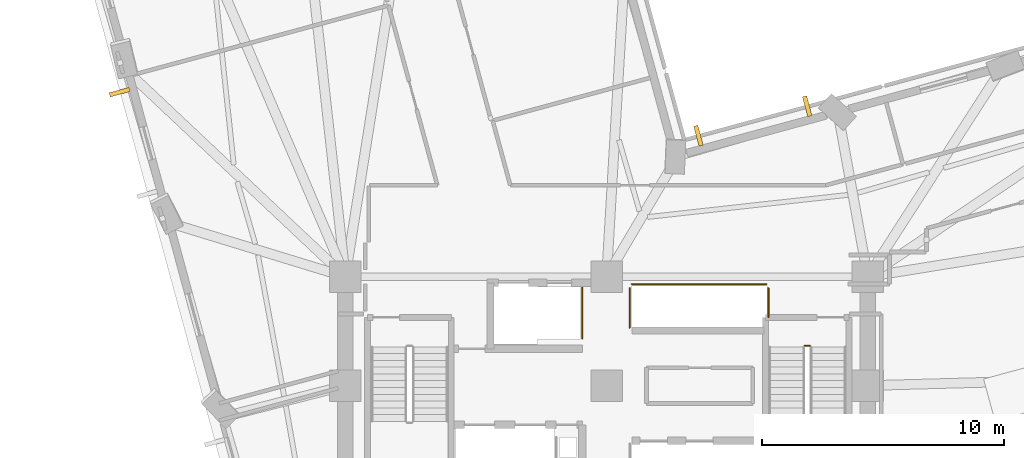
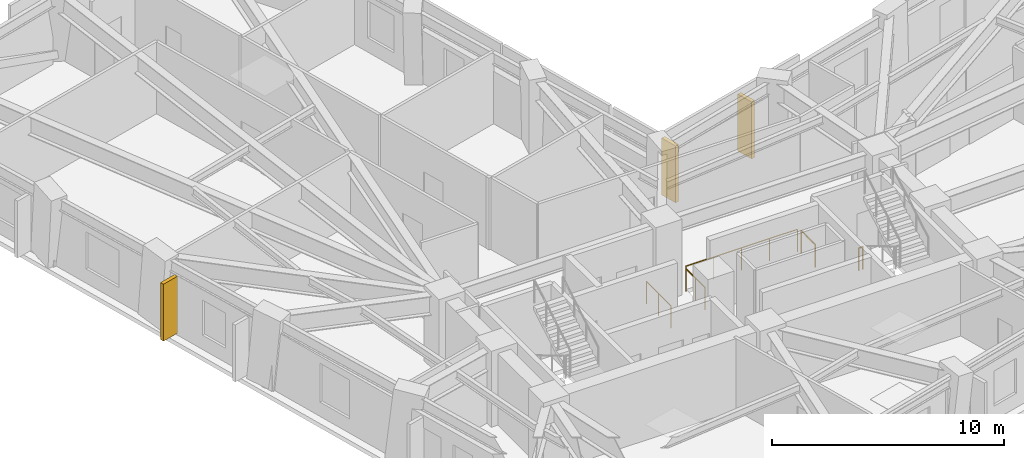
# One storey, part 13 of 15: 5 railings, 3 shading devices.
"""IFC4 building model written with IfcOpenShell, lengths in metres."""

import ifcopenshell
import ifcopenshell.guid

model = None  # the IFC model being written
_history = None  # IfcOwnerHistory: only IFC2X3 demands one
_inside = {}  # id of a spatial element -> (the spatial element, [elements in it])
_under = {}  # id of a project, library or spatial element -> (it, [spatial elements below it])
_declared = {}  # id of a project -> (the project, [libraries it declares])
_typed = {}  # id of a type object -> (the type object, [elements of that type])
_made_of = {}  # id of a material, layer set ... -> (it, [elements and type objects made of it])


def new_model(schema):
    """Start an empty IFC model of exactly this schema.

    Asked for "IFC4X3", IfcOpenShell would pick the latest addendum, in which some entities
    have other attributes; the version numbers below select the first issue.
    IFC2X3 requires an IfcOwnerHistory on every rooted entity: one is made here for all.
    """
    global model, _history
    if schema == "IFC4X3":
        model = ifcopenshell.file(schema_version=(4, 3, 0, 0))
    else:
        model = ifcopenshell.file(schema=schema)
    _inside.clear()
    _under.clear()
    _declared.clear()
    _typed.clear()
    _made_of.clear()
    _history = None
    if model.schema == "IFC2X3":
        org = make("IfcOrganization", Name="unknown")
        user = make(
            "IfcPersonAndOrganization",
            ThePerson=make("IfcPerson", FamilyName="unknown"),
            TheOrganization=org,
        )
        app = make(
            "IfcApplication",
            ApplicationDeveloper=org,
            Version="unknown",
            ApplicationFullName="unknown",
            ApplicationIdentifier="unknown",
        )
        _history = make(
            "IfcOwnerHistory",
            OwningUser=user,
            OwningApplication=app,
            ChangeAction="ADDED",
            CreationDate=0,
        )
    return model


def make(cls, **values):
    """One entity of the class cls with the attributes given. An attribute that is None is left unset."""
    return model.create_entity(
        cls, **{name: value for name, value in values.items() if value is not None}
    )


def rooted(cls, **values):
    """An entity with a GlobalId (a new one), such as an element, a storey or a relation."""
    return make(cls, GlobalId=ifcopenshell.guid.new(), OwnerHistory=_history, **values)


def si_unit(unit_type, name, prefix=None):
    """IfcSIUnit, for example si_unit("LENGTHUNIT", "METRE", prefix="MILLI")."""
    return make("IfcSIUnit", UnitType=unit_type, Prefix=prefix, Name=name)


def assignment(units):
    """IfcUnitAssignment: the units of a project."""
    return None if units is None else make("IfcUnitAssignment", Units=units)


def point(xyz):
    """IfcCartesianPoint."""
    return None if xyz is None else make("IfcCartesianPoint", Coordinates=xyz)


def direction(xyz):
    """IfcDirection."""
    return None if xyz is None else make("IfcDirection", DirectionRatios=xyz)


def frame(location, z_axis=None, x_axis=None):
    """IfcAxis2Placement3D, a coordinate frame: its origin and axes. An axis left out is left unset."""
    return make(
        "IfcAxis2Placement3D",
        Location=point(location),
        Axis=direction(z_axis),
        RefDirection=direction(x_axis),
    )


def frame_2d(location, x_axis=None):
    """IfcAxis2Placement2D, a coordinate frame in the plane: its origin and x axis."""
    return make(
        "IfcAxis2Placement2D", Location=point(location), RefDirection=direction(x_axis)
    )


def origin():
    """The frame at (0, 0, 0) with its axes left unset."""
    return frame((0.0, 0.0, 0.0))


def origin_2d():
    """The frame at (0, 0) in the plane with its x axis left unset."""
    return frame_2d((0.0, 0.0))


def place(relative_to, where):
    """IfcLocalPlacement: puts the frame where relative to a parent placement (None: the world)."""
    return make(
        "IfcLocalPlacement", PlacementRelTo=relative_to, RelativePlacement=where
    )


def context(
    kind, dimensions, precision=None, world=None, true_north=None, identifier=None
):
    """IfcGeometricRepresentationContext, for example the 3D "Model" context."""
    return make(
        "IfcGeometricRepresentationContext",
        ContextIdentifier=identifier,
        ContextType=kind,
        CoordinateSpaceDimension=dimensions,
        Precision=precision,
        WorldCoordinateSystem=world,
        TrueNorth=true_north,
    )


def subcontext(parent, identifier, kind, view, scale=None):
    """IfcGeometricRepresentationSubContext, for example "Body" below "Model"."""
    return make(
        "IfcGeometricRepresentationSubContext",
        ContextIdentifier=identifier,
        ContextType=kind,
        ParentContext=parent,
        TargetScale=scale,
        TargetView=view,
    )


def project(units=None, contexts=None):
    """IfcProject with its units and contexts."""
    return rooted(
        "IfcProject",
        Name="project",
        RepresentationContexts=contexts,
        UnitsInContext=assignment(units),
    )


def spatial(cls, under=None, at=None, **own):
    """A site, building, storey or space (cls), placed at a placement, below another one or the project."""
    s = rooted(cls, ObjectPlacement=at, **own)
    if under is not None:
        _under.setdefault(under.id(), (under, []))[1].append(s)
    return s


def profile(cls, at=None, kind="AREA", **sizes):
    """A parametric profile (cls). Its sizes go by their IFC names, for example OverallWidth=200.0."""
    return make(cls, ProfileType=kind, Position=at, **sizes)


def rectangle(**sizes):
    """IfcRectangleProfileDef."""
    return profile("IfcRectangleProfileDef", **sizes)


def circle(**sizes):
    """IfcCircleProfileDef."""
    return profile("IfcCircleProfileDef", **sizes)


def extrude(swept, where, along, depth):
    """IfcExtrudedAreaSolid: the profile swept, set in the frame where, extruded along a direction by depth."""
    return make(
        "IfcExtrudedAreaSolid",
        SweptArea=swept,
        Position=where,
        ExtrudedDirection=direction(along),
        Depth=depth,
    )


def shape(context_of_items, identifier, shape_type, items):
    """IfcShapeRepresentation: the items that make up one representation, for example the "Body"."""
    return make(
        "IfcShapeRepresentation",
        ContextOfItems=context_of_items,
        RepresentationIdentifier=identifier,
        RepresentationType=shape_type,
        Items=items,
    )


def material(Name=None, Category=None):
    """IfcMaterial."""
    return make("IfcMaterial", Name=Name, Category=Category)


def made_of(thing, what):
    """Note that an element or type object is made of a material, layer set ...; save() writes the relation."""
    if what is not None:
        _made_of.setdefault(what.id(), (what, []))[1].append(thing)
    return thing


def type_object(cls, material=None, **own):
    """A type object (cls), such as IfcWallType, which elements share."""
    return made_of(rooted(cls, **own), material)


def element(
    cls,
    number,
    at=None,
    inside=None,
    cuts=None,
    type_object=None,
    material=None,
    context=None,
    identifier="Body",
    shape_type=None,
    held_by="IfcProductDefinitionShape",
    body=None,
    shapes=None,
    **own,
):
    """One element of the class cls, such as IfcWall. Its Tag is "e" and its number.

    at: its placement. inside: the storey or other place that contains it. cuts: it is an
    opening in that element (IfcRelVoidsElement). A single representation is given by context,
    identifier, shape_type and body (its items); several are given by shapes. held_by: the class
    of the entity that holds the representations. save() writes the other relations.
    """
    e = rooted(cls, Tag="e%d" % number, ObjectPlacement=at, **own)
    if body is not None:
        shapes = [shape(context, identifier, shape_type, body)]
    if shapes is not None:
        e.Representation = make(held_by, Representations=shapes)
    if inside is not None:
        _inside.setdefault(inside.id(), (inside, []))[1].append(e)
    if cuts is not None:
        rooted(
            "IfcRelVoidsElement", RelatingBuildingElement=cuts, RelatedOpeningElement=e
        )
    if type_object is not None:
        _typed.setdefault(type_object.id(), (type_object, []))[1].append(e)
    return made_of(e, material)


def aggregate(whole, parts):
    """IfcRelAggregates: a whole, such as a stair, and the parts it consists of."""
    return rooted("IfcRelAggregates", RelatingObject=whole, RelatedObjects=parts)


def save(model, path):
    """Write the relations noted so far, then the file.

    IfcRelAggregates (storeys below a building ...), IfcRelContainedInSpatialStructure (elements
    in a storey), IfcRelDefinesByType, IfcRelAssociatesMaterial and IfcRelDeclares: one each for
    every whole, place, type object, material and project.
    """
    for whole, parts in _under.values():
        aggregate(whole, parts)
    for where, things in _inside.values():
        rooted(
            "IfcRelContainedInSpatialStructure",
            RelatedElements=things,
            RelatingStructure=where,
        )
    for kind, things in _typed.values():
        rooted("IfcRelDefinesByType", RelatedObjects=things, RelatingType=kind)
    for what, things in _made_of.values():
        rooted("IfcRelAssociatesMaterial", RelatedObjects=things, RelatingMaterial=what)
    for by, libraries in _declared.values():
        rooted("IfcRelDeclares", RelatingContext=by, RelatedDefinitions=libraries)
    model.write(path)


model = new_model("IFC4")

# Units and contexts
model_context = context("Model", 3, precision=1e-05, world=origin(), true_north=direction((0.0, 1.0)))
body_context = subcontext(model_context, "Body", "Model", "MODEL_VIEW")
ifc_project = project(units=[si_unit("LENGTHUNIT", "METRE"), si_unit("AREAUNIT", "SQUARE_METRE"), si_unit("VOLUMEUNIT", "CUBIC_METRE"), si_unit("PLANEANGLEUNIT", "RADIAN"), si_unit("MASSUNIT", "GRAM", prefix="KILO")], contexts=[model_context])

# Site, building, storey
site_placement = place(None, origin())
site = spatial("IfcSite", under=ifc_project, at=site_placement, CompositionType="ELEMENT")
building_placement = place(site_placement, origin())
building = spatial("IfcBuilding", under=site, at=building_placement, Name="Gaonmaruhae Medical Tower", CompositionType="ELEMENT")
storey_placement = place(building_placement, frame((0.0, 0.0, 88.39990234375)))
storey = spatial("IfcBuildingStorey", under=building, at=storey_placement, Name="L20", CompositionType="ELEMENT", Elevation=88.39990234375)

# Shading devices
ifc_material_1 = material(Name="Pigmented coral precast concrete C45/55", Category="concrete")
shading_device_type = type_object("IfcShadingDeviceType", Name="SD-FIN1 Tower Vertical Coral Precast Shading Fin", PredefinedType="USERDEFINED", material=ifc_material_1)
for number, where, z_axis, x_axis, name in (
    (1, (28.599365234375, 22.6279296875, 0.08251953125), (0.0, 0.0, 1.0), (0.96502107039, 0.262172335886, 0.0), "L20 Vertical Coral Precast Shading Fin EN03"),
    (2, (33.096435546875, 23.849609375, 0.08251953125), (0.0, 0.0, 1.0), (0.96502107039, 0.262172335886, 0.0), "L20 Vertical Coral Precast Shading Fin EN03B"),
    (3, (4.669189453125, 24.432373046875, 0.08251953125), (0.0, 0.0, 1.0), (-0.262189178641, 0.965016494472, 0.0), "L20 Vertical Coral Precast Shading Fin W03B"),
):
    element("IfcShadingDevice", number, at=place(storey_placement, frame(where, z_axis=z_axis, x_axis=x_axis)), inside=storey, type_object=shading_device_type, Name=name, ObjectType="FIN", PredefinedType="USERDEFINED", context=body_context, shape_type="SweptSolid", body=[
        extrude(rectangle(XDim=0.179931640625, YDim=0.85009765625, at=origin_2d()), origin(), (0.0, 0.0, 1.0), 3.0),
    ])

# Railings
ifc_material_2 = material(Name="Stainless steel 304 balustrade", Category="steel")
railing_type = type_object("IfcRailingType", Name="SG-112 Stair Well & Ramp Void Safety Balustrade", PredefinedType="BALUSTRADE", material=ifc_material_2)
railing_1_placement = place(storey_placement, frame((33.0, 13.949951171875, 0.0)))
element("IfcRailing", 4, at=railing_1_placement, inside=storey, type_object=railing_type, Name="L20 ST-02 stair guard 4", PredefinedType="BALUSTRADE", context=body_context, shape_type="SweptSolid", body=[
    extrude(circle(Radius=0.02392578125, at=origin_2d()), frame((0.0, 0.0, 1.17578125), z_axis=(1.0, 0.0, 0.0), x_axis=(0.0, 1.0, 0.0)), (0.0, 0.0, 1.0), 0.199951171875),
    extrude(circle(Radius=0.02099609375, at=origin_2d()), origin(), (0.0, 0.0, 1.0), 1.15185546875),
    extrude(circle(Radius=0.02099609375, at=origin_2d()), frame((0.199951171875, 0.0, 0.0)), (0.0, 0.0, 1.0), 1.15185546875),
])
railing_2_placement = place(storey_placement, frame((23.794921875, 16.35498046875, 0.0)))
element("IfcRailing", 5, at=railing_2_placement, inside=storey, type_object=railing_type, Name="L20 Shaft Edge Safety Guard 06", PredefinedType="BALUSTRADE", context=body_context, shape_type="SweptSolid", body=[
    extrude(circle(Radius=0.02392578125, at=origin_2d()), frame((0.0, 0.0, 1.17578125), z_axis=(0.0, -1.0, 0.0), x_axis=(1.0, 0.0, 0.0)), (0.0, 0.0, 1.0), 2.10986328125),
    extrude(circle(Radius=0.02099609375, at=origin_2d()), origin(), (0.0, 0.0, 1.0), 1.15185546875),
    extrude(circle(Radius=0.02099609375, at=origin_2d()), frame((0.0, -1.054931640625, 0.0)), (0.0, 0.0, 1.0), 1.15185546875),
    extrude(circle(Radius=0.02099609375, at=origin_2d()), frame((0.0, -2.10986328125, 0.0)), (0.0, 0.0, 1.0), 1.15185546875),
])
railing_3_placement = place(storey_placement, frame((25.844970703125, 16.4951171875, 0.0)))
element("IfcRailing", 6, at=railing_3_placement, inside=storey, type_object=railing_type, Name="L20 Shaft Edge Safety Guard 07", PredefinedType="BALUSTRADE", context=body_context, shape_type="SweptSolid", body=[
    extrude(circle(Radius=0.02392578125, at=origin_2d()), frame((0.0, 0.0, 1.17578125), z_axis=(1.0, 0.0, 0.0), x_axis=(0.0, 1.0, 0.0)), (0.0, 0.0, 1.0), 5.56005859375),
    extrude(circle(Radius=0.02099609375, at=origin_2d()), origin(), (0.0, 0.0, 1.0), 1.15185546875),
    extrude(circle(Radius=0.02099609375, at=origin_2d()), frame((1.39013671875, 0.0, 0.0)), (0.0, 0.0, 1.0), 1.15185546875),
    extrude(circle(Radius=0.02099609375, at=origin_2d()), frame((2.780029296875, 0.0, 0.0)), (0.0, 0.0, 1.0), 1.15185546875),
    extrude(circle(Radius=0.02099609375, at=origin_2d()), frame((4.169921875, 0.0, 0.0)), (0.0, 0.0, 1.0), 1.15185546875),
    extrude(circle(Radius=0.02099609375, at=origin_2d()), frame((5.56005859375, 0.0, 0.0)), (0.0, 0.0, 1.0), 1.15185546875),
])
railing_4_placement = place(storey_placement, frame((31.4951171875, 16.330078125, 0.0)))
element("IfcRailing", 7, at=railing_4_placement, inside=storey, type_object=railing_type, Name="L20 Shaft Edge Safety Guard 08", PredefinedType="BALUSTRADE", context=body_context, shape_type="SweptSolid", body=[
    extrude(circle(Radius=0.02392578125, at=origin_2d()), frame((0.0, 0.0, 1.17578125), z_axis=(0.0, -1.0, 0.0), x_axis=(1.0, 0.0, 0.0)), (0.0, 0.0, 1.0), 1.2099609375),
    extrude(circle(Radius=0.02099609375, at=origin_2d()), origin(), (0.0, 0.0, 1.0), 1.15185546875),
    extrude(circle(Radius=0.02099609375, at=origin_2d()), frame((0.0, -1.2099609375, 0.0)), (0.0, 0.0, 1.0), 1.15185546875),
])
railing_5_placement = place(storey_placement, frame((25.7548828125, 14.695068359375, 0.0)))
element("IfcRailing", 8, at=railing_5_placement, inside=storey, type_object=railing_type, Name="L20 Shaft Edge Safety Guard 09", PredefinedType="BALUSTRADE", context=body_context, shape_type="SweptSolid", body=[
    extrude(circle(Radius=0.02392578125, at=origin_2d()), frame((0.0, 0.0, 1.17578125), z_axis=(0.0, 1.0, 0.0), x_axis=(-1.0, 0.0, 0.0)), (0.0, 0.0, 1.0), 1.635009765625),
    extrude(circle(Radius=0.02099609375, at=origin_2d()), origin(), (0.0, 0.0, 1.0), 1.15185546875),
    extrude(circle(Radius=0.02099609375, at=origin_2d()), frame((0.0, 0.8173828125, 0.0)), (0.0, 0.0, 1.0), 1.15185546875),
    extrude(circle(Radius=0.02099609375, at=origin_2d()), frame((0.0, 1.635009765625, 0.0)), (0.0, 0.0, 1.0), 1.15185546875),
])

save(model, "model.ifc")
